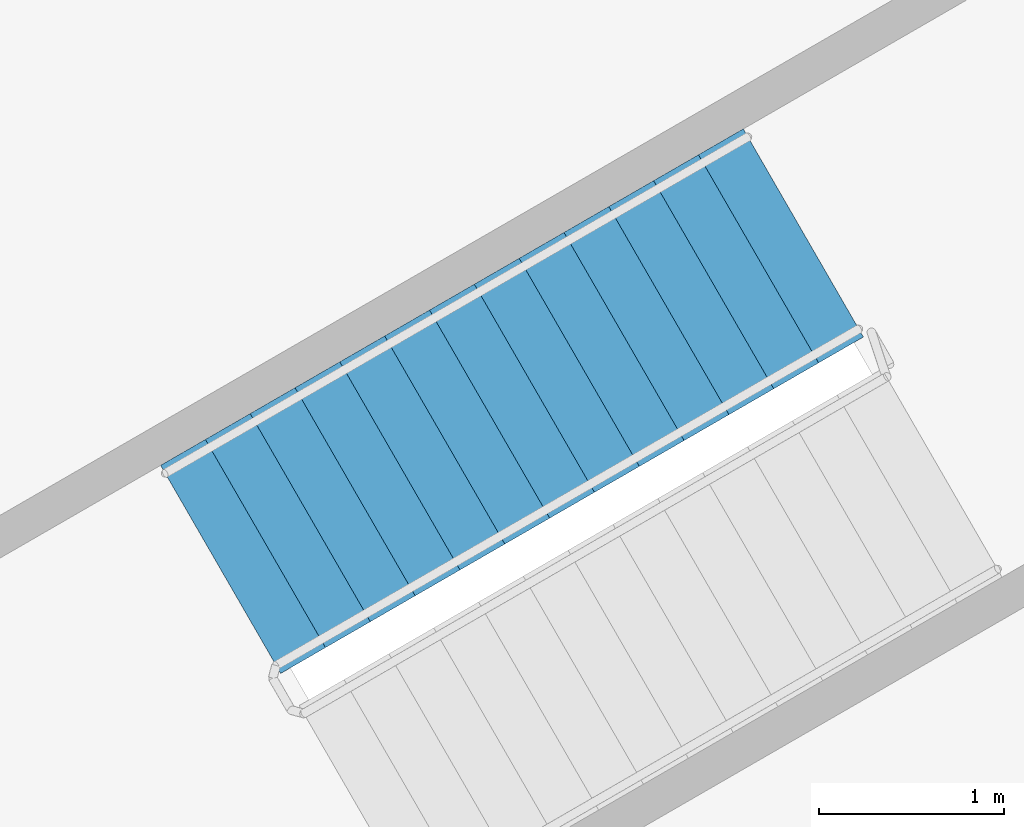
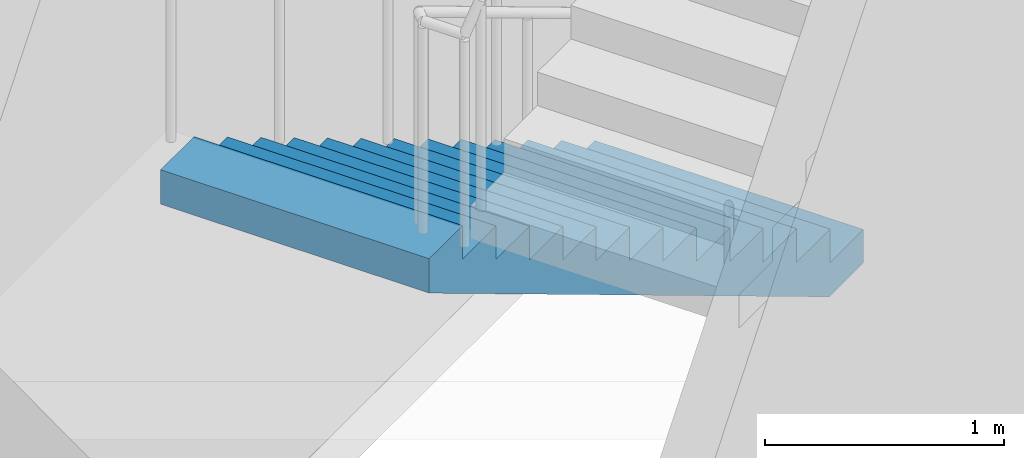
# One storey, part 16 of 18: 1 stair flight, 1 element without a shape of its own.
"""IFC4 building model written with IfcOpenShell, lengths in metres."""

from ifc_helpers import new_model, si_unit, direction, frame, origin, place, context, subcontext, project, spatial, polyline, outline, extrude, material, type_object, element, aggregate, save


model = new_model("IFC4")

# Units and contexts
model_context = context("Model", 3, precision=1e-05, world=origin(), true_north=direction((0.0, 1.0)))
body_context = subcontext(model_context, "Body", "Model", "MODEL_VIEW")
ifc_project = project(units=[si_unit("LENGTHUNIT", "METRE"), si_unit("AREAUNIT", "SQUARE_METRE"), si_unit("VOLUMEUNIT", "CUBIC_METRE"), si_unit("PLANEANGLEUNIT", "RADIAN"), si_unit("MASSUNIT", "GRAM", prefix="KILO")], contexts=[model_context])

# Site, building, storey
site_placement = place(None, origin())
site = spatial("IfcSite", under=ifc_project, at=site_placement, CompositionType="ELEMENT")
building_placement = place(site_placement, origin())
building = spatial("IfcBuilding", under=site, at=building_placement, Name="Verrane Prism Tower", CompositionType="ELEMENT")
storey_placement = place(building_placement, frame((0.0, 0.0, 32.0)))
storey = spatial("IfcBuildingStorey", under=building, at=storey_placement, Name="L05", CompositionType="ELEMENT", Elevation=32.0)

# Stair, stair flight
ifc_material_1 = material(Name="Concrete C40/50", Category="concrete")
stair_type = type_object("IfcStairType", Name="Exit stair 1300 dog-leg precast concrete C40/50", PredefinedType="HALF_TURN_STAIR", material=ifc_material_1)
stair_placement = place(storey_placement, origin())
stair = element("IfcStair", 1, at=stair_placement, inside=storey, type_object=stair_type, Name="Stair 1 L05", PredefinedType="HALF_TURN_STAIR")
ifc_material_2 = material(Name="Concrete C40/50", Category="concrete")
stair_flight_type = type_object("IfcStairFlightType", Name="Stair flight 1300 precast concrete C40/50", PredefinedType="STRAIGHT", material=ifc_material_2)
stair_flight_placement = place(storey_placement, frame((11.489501953125, 7.49951171875, 0.0), z_axis=(0.0, 0.0, 1.0), x_axis=(-0.866025403784, -0.5, 0.0)))
stair_flight = element("IfcStairFlight", 2, at=stair_flight_placement, type_object=stair_flight_type, Name="Stair 1 flight 1", NumberOfRisers=14, NumberOfTreads=13, PredefinedType="STRAIGHT", RiserHeight=0.171428571, TreadLength=0.28, context=body_context, shape_type="SweptSolid", body=[
    extrude(outline(polyline([(0.0, 0.0), (0.0, 0.17138671875), (0.280029296875, 0.17138671875), (0.280029296875, 0.3427734375), (0.56005859375, 0.3427734375), (0.56005859375, 0.514404296875), (0.840087890625, 0.514404296875), (0.840087890625, 0.685791015625), (1.1201171875, 0.685791015625), (1.1201171875, 0.857177734375), (1.39990234375, 0.857177734375), (1.39990234375, 1.028564453125), (1.679931640625, 1.028564453125), (1.679931640625, 1.199951171875), (1.9599609375, 1.199951171875), (1.9599609375, 1.371337890625), (2.239990234375, 1.371337890625), (2.239990234375, 1.54296875), (2.52001953125, 1.54296875), (2.52001953125, 1.71435546875), (2.800048828125, 1.71435546875), (2.800048828125, 1.8857421875), (3.080078125, 1.8857421875), (3.080078125, 2.05712890625), (3.360107421875, 2.05712890625), (3.360107421875, 2.228515625), (3.639892578125, 2.228515625), (3.639892578125, 2.39990234375), (3.639892578125, 2.052734375), (0.287109375, 0.0), (0.0, 0.0)])), frame((0.0, 0.64990234375, 0.0), z_axis=(0.0, -1.0, 0.0), x_axis=(1.0, 0.0, 0.0)), (0.0, 0.0, 1.0), 1.300048828125),
])
aggregate(stair, [stair_flight])

save(model, "model.ifc")
